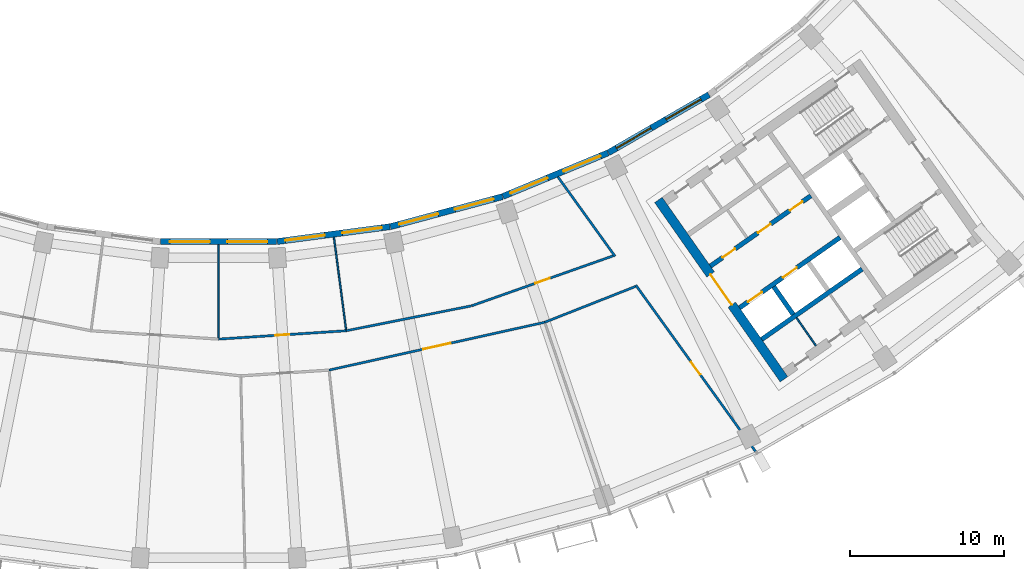
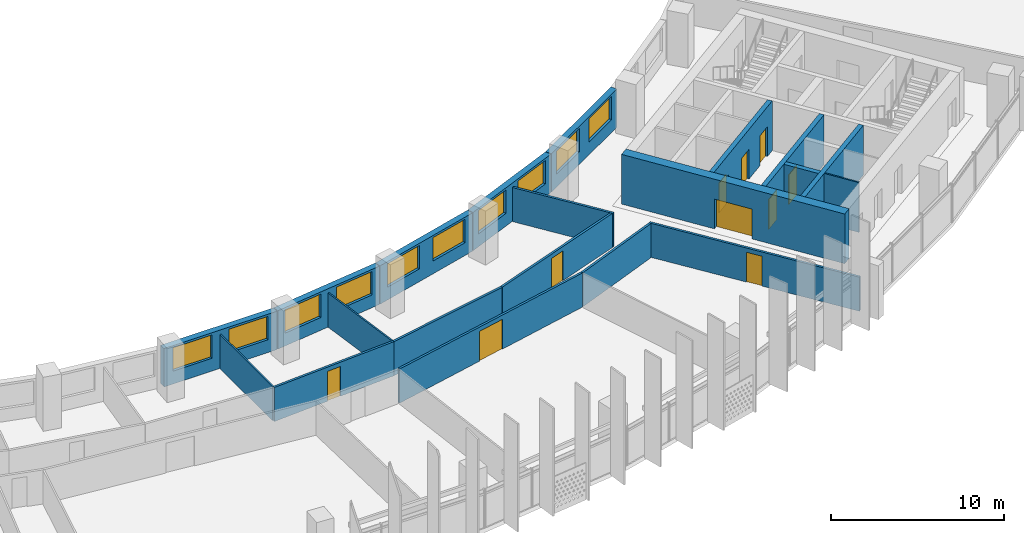
# One storey, part 6 of 26: 20 walls, 10 doors, 10 windows, 20 openings.
"""IFC4 building model written with IfcOpenShell, lengths in metres."""

from ifc_helpers import new_model, si_unit, direction, frame, frame_2d, origin, place, context, subcontext, project, spatial, rectangle, extrude, material, layer, layer_set, type_object, element, fill, save


model = new_model("IFC4")

# Units and contexts
model_context = context("Model", 3, precision=1e-05, world=origin(), true_north=direction((0.0, 1.0)))
body_context = subcontext(model_context, "Body", "Model", "MODEL_VIEW")
ifc_project = project(units=[si_unit("LENGTHUNIT", "METRE"), si_unit("AREAUNIT", "SQUARE_METRE"), si_unit("VOLUMEUNIT", "CUBIC_METRE"), si_unit("PLANEANGLEUNIT", "RADIAN"), si_unit("MASSUNIT", "GRAM", prefix="KILO")], contexts=[model_context])

# Site, building, storey
site_placement = place(None, origin())
site = spatial("IfcSite", under=ifc_project, at=site_placement, CompositionType="ELEMENT")
building_placement = place(site_placement, origin())
building = spatial("IfcBuilding", under=site, at=building_placement, Name="Qamariyya Broadcast Tower", CompositionType="ELEMENT")
storey_placement = place(building_placement, frame((0.0, 0.0, 156.89990234375)))
storey = spatial("IfcBuildingStorey", under=building, at=storey_placement, Name="L36", CompositionType="ELEMENT", Elevation=156.89990234375)

# Wall, opening, door
ifc_material_1 = material(Name="Concrete C60/75", Category="concrete")
ifc_layer_1 = layer(ifc_material_1, 0.60009765625)
ifc_layer_set_1 = layer_set([ifc_layer_1], Name="Core wall 600 mm Concrete C60/75")
wall_type_1 = type_object("IfcWallType", Name="Core wall 600 mm Concrete C60/75", PredefinedType="SHEAR", material=ifc_layer_set_1)
wall_1_placement = place(storey_placement, frame((36.66748046875, -66.005126953125, 0.0), z_axis=(0.0, 0.0, 1.0), x_axis=(-0.573568499524, 0.819157601658, 0.0)))
wall_1 = element("IfcWall", 1, at=wall_1_placement, inside=storey, type_object=wall_type_1, Name="k-E-L36-WA", PredefinedType="SHEAR", context=body_context, shape_type="SweptSolid", body=[
    extrude(rectangle(XDim=14.19970703125, YDim=0.60009765625, at=frame_2d((7.099853515625, 0.0))), origin(), (0.0, 0.0, 1.0), 3.5),
])
opening_1_placement = place(wall_1_placement, frame((5.89990234375, 0.0, 0.0)))
opening_1 = element("IfcOpeningElement", 2, at=opening_1_placement, cuts=wall_1, Name="Opening KD3-E1", PredefinedType="OPENING", context=body_context, shape_type="SweptSolid", body=[
    extrude(rectangle(XDim=2.39990234375, YDim=2.10009765625, at=frame_2d((1.199951171875, 1.050048828125))), frame((0.0, 0.31005859375, 0.0), z_axis=(0.0, -1.0, 0.0), x_axis=(1.0, 0.0, 0.0)), (0.0, 0.0, 1.0), 0.6201171875),
])
ifc_material_2 = material(Name="Steel fire-resisting door leaf", Category="steel")
door_type_1 = type_object("IfcDoorType", Name="Lift lobby door KD3", OperationType="DOUBLE_DOOR_SINGLE_SWING", PredefinedType="DOOR", material=ifc_material_2)
door_1_placement = place(opening_1_placement, origin())
door_1 = element("IfcDoor", 3, at=door_1_placement, inside=storey, type_object=door_type_1, Name="k-E-L36-WA-D1", OperationType="DOUBLE_DOOR_SINGLE_SWING", OverallHeight=2.10009765625, OverallWidth=2.39990234375, PredefinedType="DOOR", context=body_context, shape_type="SweptSolid", body=[
    extrude(rectangle(XDim=2.39990234375, YDim=2.10009765625, at=frame_2d((1.199951171875, 1.050048828125))), frame((0.0, 0.02490234375, 0.0), z_axis=(0.0, -1.0, 0.0), x_axis=(1.0, 0.0, 0.0)), (0.0, 0.0, 1.0), 0.050048828125),
])
fill(opening_1, door_1)

ifc_material_3 = material(Name="Gypsum board partition")
ifc_layer_2 = layer(ifc_material_3, 0.14990234375)
ifc_layer_set_2 = layer_set([ifc_layer_2], Name="Corridor partition 150 EI 60")
wall_type_2 = type_object("IfcWallType", Name="Corridor partition 150 EI 60", PredefinedType="PARTITIONING", material=ifc_layer_set_2)
wall_2_placement = place(storey_placement, frame((0.0, -63.39990234375, 0.0), z_axis=(0.0, 0.0, 1.0), x_axis=(0.997860193426, 0.065383747038, 0.0)))
wall_2 = element("IfcWall", 4, at=wall_2_placement, inside=storey, type_object=wall_type_2, Name="Partition L36-014", PredefinedType="PARTITIONING", context=body_context, shape_type="SweptSolid", body=[
    extrude(rectangle(XDim=8.293212890625, YDim=0.14990234375, at=frame_2d((4.146484375, 0.0))), origin(), (0.0, 0.0, 1.0), 2.400146484375),
])
opening_2_placement = place(wall_2_placement, frame((3.696533203125, 0.0, 0.0)))
opening_2 = element("IfcOpeningElement", 5, at=opening_2_placement, cuts=wall_2, Name="Opening L36-D10", PredefinedType="OPENING", context=body_context, shape_type="SweptSolid", body=[
    extrude(rectangle(XDim=0.89990234375, YDim=2.10009765625, at=frame_2d((0.449951171875, 1.050048828125))), frame((0.0, 0.0849609375, 0.0), z_axis=(0.0, -1.0, 0.0), x_axis=(1.0, 0.0, 0.0)), (0.0, 0.0, 1.0), 0.169921875),
])
ifc_material_4 = material(Name="Timber fire door leaf", Category="wood")
door_type_2 = type_object("IfcDoorType", Name="Fire door 900 x 2100 FD60", OperationType="NOTDEFINED", PredefinedType="DOOR", material=ifc_material_4)
door_2_placement = place(opening_2_placement, origin())
door_2 = element("IfcDoor", 6, at=door_2_placement, inside=storey, type_object=door_type_2, Name="Door L36-D10", OperationType="SINGLE_SWING_RIGHT", OverallHeight=2.10009765625, OverallWidth=0.89990234375, PredefinedType="DOOR", context=body_context, shape_type="SweptSolid", body=[
    extrude(rectangle(XDim=0.89990234375, YDim=2.10009765625, at=frame_2d((0.449951171875, 1.050048828125))), frame((0.0, 0.02490234375, 0.0), z_axis=(0.0, -1.0, 0.0), x_axis=(1.0, 0.0, 0.0)), (0.0, 0.0, 1.0), 0.050048828125),
])
fill(opening_2, door_2)

wall_3_placement = place(storey_placement, frame((21.150634765625, -62.30810546875, 0.0), z_axis=(0.0, 0.0, 1.0), x_axis=(-0.976299184302, -0.216425282099, 0.0)))
wall_3 = element("IfcWall", 7, at=wall_3_placement, inside=storey, type_object=wall_type_2, Name="Partition L36-018", PredefinedType="PARTITIONING", context=body_context, shape_type="SweptSolid", body=[
    extrude(rectangle(XDim=14.32861328125, YDim=0.14990234375, at=frame_2d((7.164306640625, 0.0))), origin(), (0.0, 0.0, 1.0), 2.400146484375),
])
opening_3_placement = place(wall_3_placement, frame((6.264404296875, 0.0, 0.0)))
opening_3 = element("IfcOpeningElement", 8, at=opening_3_placement, cuts=wall_3, Name="Opening L36-D05", PredefinedType="OPENING", context=body_context, shape_type="SweptSolid", body=[
    extrude(rectangle(XDim=1.800048828125, YDim=2.10009765625, at=frame_2d((0.89990234375, 1.050048828125))), frame((0.0, 0.0849609375, 0.0), z_axis=(0.0, -1.0, 0.0), x_axis=(1.0, 0.0, 0.0)), (0.0, 0.0, 1.0), 0.169921875),
])
door_type_3 = type_object("IfcDoorType", Name="Double fire door 1800 x 2100 FD60", OperationType="NOTDEFINED", PredefinedType="DOOR", material=ifc_material_4)
door_3_placement = place(opening_3_placement, origin())
door_3 = element("IfcDoor", 9, at=door_3_placement, inside=storey, type_object=door_type_3, Name="Door L36-D05", OperationType="DOUBLE_DOOR_SINGLE_SWING", OverallHeight=2.10009765625, OverallWidth=1.800048828125, PredefinedType="DOOR", context=body_context, shape_type="SweptSolid", body=[
    extrude(rectangle(XDim=1.800048828125, YDim=2.10009765625, at=frame_2d((0.89990234375, 1.050048828125))), frame((0.0, 0.02490234375, 0.0), z_axis=(0.0, -1.0, 0.0), x_axis=(1.0, 0.0, 0.0)), (0.0, 0.0, 1.0), 0.050048828125),
])
fill(opening_3, door_3)

# Wall
wall_4_placement = place(storey_placement, frame((8.275390625, -62.857666015625, 0.0), z_axis=(0.0, 0.0, 1.0), x_axis=(0.980780777209, 0.195112959735, 0.0)))
element("IfcWall", 10, at=wall_4_placement, inside=storey, type_object=wall_type_2, Name="Partition L36-020", PredefinedType="PARTITIONING", context=body_context, shape_type="SweptSolid", body=[
    extrude(rectangle(XDim=8.28466796875, YDim=0.14990234375, at=frame_2d((4.142333984375, 0.0))), origin(), (0.0, 0.0, 1.0), 2.400146484375),
])

# Wall, opening, door
wall_5_placement = place(storey_placement, frame((16.4169921875, -61.23681640625, 0.0), z_axis=(0.0, 0.0, 1.0), x_axis=(0.942982926679, 0.332841103219, 0.0)))
wall_5 = element("IfcWall", 11, at=wall_5_placement, inside=storey, type_object=wall_type_2, Name="Partition L36-022", PredefinedType="PARTITIONING", context=body_context, shape_type="SweptSolid", body=[
    extrude(rectangle(XDim=9.736572265625, YDim=0.14990234375, at=frame_2d((4.8681640625, 0.0))), origin(), (0.0, 0.0, 1.0), 2.400146484375),
])
opening_4_placement = place(wall_5_placement, frame((4.368408203125, 0.0, 0.0)))
opening_4 = element("IfcOpeningElement", 12, at=opening_4_placement, cuts=wall_5, Name="Opening L36-D11", PredefinedType="OPENING", context=body_context, shape_type="SweptSolid", body=[
    extrude(rectangle(XDim=1.0, YDim=2.10009765625, at=frame_2d((0.5, 1.050048828125))), frame((0.0, 0.0849609375, 0.0), z_axis=(0.0, -1.0, 0.0), x_axis=(1.0, 0.0, 0.0)), (0.0, 0.0, 1.0), 0.169921875),
])
door_type_4 = type_object("IfcDoorType", Name="Fire door 1000 x 2100 FD60", OperationType="NOTDEFINED", PredefinedType="DOOR", material=ifc_material_4)
door_4_placement = place(opening_4_placement, origin())
door_4 = element("IfcDoor", 13, at=door_4_placement, inside=storey, type_object=door_type_4, Name="Door L36-D11", OperationType="SINGLE_SWING_RIGHT", OverallHeight=2.10009765625, OverallWidth=1.0, PredefinedType="DOOR", context=body_context, shape_type="SweptSolid", body=[
    extrude(rectangle(XDim=1.0, YDim=2.10009765625, at=frame_2d((0.5, 1.050048828125))), frame((0.0, 0.02490234375, 0.0), z_axis=(0.0, -1.0, 0.0), x_axis=(1.0, 0.0, 0.0)), (0.0, 0.0, 1.0), 0.050048828125),
])
fill(opening_4, door_4)

# Walls
wall_6_placement = place(storey_placement, frame((21.150634765625, -62.30810546875, 0.0), z_axis=(0.0, 0.0, 1.0), x_axis=(0.930189926157, 0.367078603675, 0.0)))
element("IfcWall", 14, at=wall_6_placement, inside=storey, type_object=wall_type_2, Name="Partition L36-023", PredefinedType="PARTITIONING", context=body_context, shape_type="SweptSolid", body=[
    extrude(rectangle(XDim=6.32177734375, YDim=0.14990234375, at=frame_2d((3.160888671875, 0.0))), origin(), (0.0, 0.0, 1.0), 2.400146484375),
])
wall_7_placement = place(storey_placement, frame((22.0, -52.873046875, 0.0), z_axis=(0.0, 0.0, 1.0), x_axis=(0.58417014289, -0.811631224236, 0.0)))
element("IfcWall", 15, at=wall_7_placement, inside=storey, type_object=wall_type_2, Name="Partition L36-024", PredefinedType="PARTITIONING", context=body_context, shape_type="SweptSolid", body=[
    extrude(rectangle(XDim=6.356201171875, YDim=0.14990234375, at=frame_2d((3.17822265625, 0.0))), origin(), (0.0, 0.0, 1.0), 2.400146484375),
])

# Wall, opening, door
wall_8_placement = place(storey_placement, frame((34.823974609375, -70.690673828125, 0.0), z_axis=(0.0, 0.0, 1.0), x_axis=(-0.584166374063, 0.81163393683, 0.0)))
wall_8 = element("IfcWall", 16, at=wall_8_placement, inside=storey, type_object=wall_type_2, Name="Partition L36-026", PredefinedType="PARTITIONING", context=body_context, shape_type="SweptSolid", body=[
    extrude(rectangle(XDim=13.296142578125, YDim=0.14990234375, at=frame_2d((6.64794921875, 0.0))), origin(), (0.0, 0.0, 1.0), 2.400146484375),
])
opening_5_placement = place(wall_8_placement, frame((6.14794921875, 0.0, 0.0)))
opening_5 = element("IfcOpeningElement", 17, at=opening_5_placement, cuts=wall_8, Name="Opening L36-D06", PredefinedType="OPENING", context=body_context, shape_type="SweptSolid", body=[
    extrude(rectangle(XDim=1.0, YDim=2.10009765625, at=frame_2d((0.5, 1.050048828125))), frame((0.0, 0.0849609375, 0.0), z_axis=(0.0, -1.0, 0.0), x_axis=(1.0, 0.0, 0.0)), (0.0, 0.0, 1.0), 0.169921875),
])
door_5_placement = place(opening_5_placement, origin())
door_5 = element("IfcDoor", 18, at=door_5_placement, inside=storey, type_object=door_type_4, Name="Door L36-D06", OperationType="SINGLE_SWING_RIGHT", OverallHeight=2.10009765625, OverallWidth=1.0, PredefinedType="DOOR", context=body_context, shape_type="SweptSolid", body=[
    extrude(rectangle(XDim=1.0, YDim=2.10009765625, at=frame_2d((0.5, 1.050048828125))), frame((0.0, 0.02490234375, 0.0), z_axis=(0.0, -1.0, 0.0), x_axis=(1.0, 0.0, 0.0)), (0.0, 0.0, 1.0), 0.050048828125),
])
fill(opening_5, door_5)

# Wall, openings, doors
ifc_layer_3 = layer(ifc_material_1, 0.300048828125)
ifc_layer_set_3 = layer_set([ifc_layer_3], Name="Lift shaft wall 300 mm Concrete C60/75")
wall_type_3 = type_object("IfcWallType", Name="Lift shaft wall 300 mm Concrete C60/75", PredefinedType="SOLIDWALL", material=ifc_layer_set_3)
wall_9_placement = place(storey_placement, frame((31.89453125, -58.66552734375, 0.0), z_axis=(0.0, 0.0, 1.0), x_axis=(0.819166993208, 0.573555086491, 0.0)))
wall_9 = element("IfcWall", 19, at=wall_9_placement, inside=storey, type_object=wall_type_3, Name="k-E-L36-NF0", PredefinedType="SOLIDWALL", context=body_context, shape_type="SweptSolid", body=[
    extrude(rectangle(XDim=7.9501953125, YDim=0.300048828125, at=frame_2d((3.97509765625, 0.0))), origin(), (0.0, 0.0, 1.0), 3.5),
])
opening_6_placement = place(wall_9_placement, frame((0.96240234375, 0.0, 0.0)))
opening_6 = element("IfcOpeningElement", 20, at=opening_6_placement, cuts=wall_9, Name="Opening KD4-E1", PredefinedType="OPENING", context=body_context, shape_type="SweptSolid", body=[
    extrude(rectangle(XDim=1.0, YDim=2.10009765625, at=frame_2d((0.5, 1.050048828125))), frame((0.0, 0.159912109375, 0.0), z_axis=(0.0, -1.0, 0.0), x_axis=(1.0, 0.0, 0.0)), (0.0, 0.0, 1.0), 0.320068359375),
])
opening_7_placement = place(wall_9_placement, frame((3.77490234375, 0.0, 0.0)))
opening_7 = element("IfcOpeningElement", 21, at=opening_7_placement, cuts=wall_9, Name="Opening KD6-E1", PredefinedType="OPENING", context=body_context, shape_type="SweptSolid", body=[
    extrude(rectangle(XDim=1.0, YDim=2.10009765625, at=frame_2d((0.5, 1.050048828125))), frame((0.0, 0.159912109375, 0.0), z_axis=(0.0, -1.0, 0.0), x_axis=(1.0, 0.0, 0.0)), (0.0, 0.0, 1.0), 0.320068359375),
])
opening_8_placement = place(wall_9_placement, frame((6.28759765625, 0.0, 0.0)))
opening_8 = element("IfcOpeningElement", 22, at=opening_8_placement, cuts=wall_9, Name="Opening KD6-E2", PredefinedType="OPENING", context=body_context, shape_type="SweptSolid", body=[
    extrude(rectangle(XDim=1.0, YDim=2.10009765625, at=frame_2d((0.5, 1.050048828125))), frame((0.0, 0.159912109375, 0.0), z_axis=(0.0, -1.0, 0.0), x_axis=(1.0, 0.0, 0.0)), (0.0, 0.0, 1.0), 0.320068359375),
])
door_type_5 = type_object("IfcDoorType", Name="Core room door KD6", OperationType="SINGLE_SWING_LEFT", PredefinedType="DOOR", material=ifc_material_2)
door_6_placement = place(opening_7_placement, origin())
door_6 = element("IfcDoor", 23, at=door_6_placement, inside=storey, type_object=door_type_5, Name="k-E-L36-NF0-D3", OperationType="SINGLE_SWING_LEFT", OverallHeight=2.10009765625, OverallWidth=1.0, PredefinedType="DOOR", context=body_context, shape_type="SweptSolid", body=[
    extrude(rectangle(XDim=1.0, YDim=2.10009765625, at=frame_2d((0.5, 1.050048828125))), frame((0.0, 0.02490234375, 0.0), z_axis=(0.0, -1.0, 0.0), x_axis=(1.0, 0.0, 0.0)), (0.0, 0.0, 1.0), 0.050048828125),
])
fill(opening_7, door_6)
door_7_placement = place(opening_8_placement, origin())
door_7 = element("IfcDoor", 24, at=door_7_placement, inside=storey, type_object=door_type_5, Name="k-E-L36-NF0-D4", OperationType="SINGLE_SWING_RIGHT", OverallHeight=2.10009765625, OverallWidth=1.0, PredefinedType="DOOR", context=body_context, shape_type="SweptSolid", body=[
    extrude(rectangle(XDim=1.0, YDim=2.10009765625, at=frame_2d((0.5, 1.050048828125))), frame((0.0, 0.02490234375, 0.0), z_axis=(0.0, -1.0, 0.0), x_axis=(1.0, 0.0, 0.0)), (0.0, 0.0, 1.0), 0.050048828125),
])
fill(opening_8, door_7)
door_type_6 = type_object("IfcDoorType", Name="Riser and plant door KD4", OperationType="SINGLE_SWING_LEFT", PredefinedType="DOOR", material=ifc_material_2)
door_8_placement = place(opening_6_placement, origin())
door_8 = element("IfcDoor", 25, at=door_8_placement, inside=storey, type_object=door_type_6, Name="k-E-L36-NF0-D2", OperationType="SINGLE_SWING_RIGHT", OverallHeight=2.10009765625, OverallWidth=1.0, PredefinedType="DOOR", context=body_context, shape_type="SweptSolid", body=[
    extrude(rectangle(XDim=1.0, YDim=2.10009765625, at=frame_2d((0.5, 1.050048828125))), frame((0.0, 0.02490234375, 0.0), z_axis=(0.0, -1.0, 0.0), x_axis=(1.0, 0.0, 0.0)), (0.0, 0.0, 1.0), 0.050048828125),
])
fill(opening_6, door_8)

wall_10_placement = place(storey_placement, frame((33.787353515625, -61.368896484375, 0.0), z_axis=(0.0, 0.0, 1.0), x_axis=(0.819152564888, 0.573575692858, 0.0)))
wall_10 = element("IfcWall", 26, at=wall_10_placement, inside=storey, type_object=wall_type_3, Name="k-E-L36-SF0", PredefinedType="SOLIDWALL", context=body_context, shape_type="SweptSolid", body=[
    extrude(rectangle(XDim=7.9501953125, YDim=0.300048828125, at=frame_2d((3.97509765625, 0.0))), origin(), (0.0, 0.0, 1.0), 3.5),
])
opening_9_placement = place(wall_10_placement, frame((0.675048828125, 0.0, 0.0)))
opening_9 = element("IfcOpeningElement", 27, at=opening_9_placement, cuts=wall_10, Name="Opening LD", PredefinedType="OPENING", context=body_context, shape_type="SweptSolid", body=[
    extrude(rectangle(XDim=1.10009765625, YDim=2.10009765625, at=frame_2d((0.550048828125, 1.050048828125))), frame((0.0, 0.159912109375, 0.0), z_axis=(0.0, -1.0, 0.0), x_axis=(1.0, 0.0, 0.0)), (0.0, 0.0, 1.0), 0.320068359375),
])
opening_10_placement = place(wall_10_placement, frame((3.425048828125, 0.0, 0.0)))
opening_10 = element("IfcOpeningElement", 28, at=opening_10_placement, cuts=wall_10, Name="Opening LD", PredefinedType="OPENING", context=body_context, shape_type="SweptSolid", body=[
    extrude(rectangle(XDim=1.10009765625, YDim=2.10009765625, at=frame_2d((0.550048828125, 1.050048828125))), frame((0.0, 0.159912109375, 0.0), z_axis=(0.0, -1.0, 0.0), x_axis=(1.0, 0.0, 0.0)), (0.0, 0.0, 1.0), 0.320068359375),
])
door_type_7 = type_object("IfcDoorType", Name="Lift landing door LD", OperationType="DOUBLE_DOOR_SLIDING", PredefinedType="DOOR", material=ifc_material_2)
door_9_placement = place(opening_9_placement, origin())
door_9 = element("IfcDoor", 29, at=door_9_placement, inside=storey, type_object=door_type_7, Name="k-E-L36-SF0-D5", OperationType="DOUBLE_DOOR_SLIDING", OverallHeight=2.10009765625, OverallWidth=1.10009765625, PredefinedType="DOOR", context=body_context, shape_type="SweptSolid", body=[
    extrude(rectangle(XDim=1.10009765625, YDim=2.10009765625, at=frame_2d((0.550048828125, 1.050048828125))), frame((0.0, 0.02490234375, 0.0), z_axis=(0.0, -1.0, 0.0), x_axis=(1.0, 0.0, 0.0)), (0.0, 0.0, 1.0), 0.050048828125),
])
fill(opening_9, door_9)
door_10_placement = place(opening_10_placement, origin())
door_10 = element("IfcDoor", 30, at=door_10_placement, inside=storey, type_object=door_type_7, Name="k-E-L36-SF0-D6", OperationType="DOUBLE_DOOR_SLIDING", OverallHeight=2.10009765625, OverallWidth=1.10009765625, PredefinedType="DOOR", context=body_context, shape_type="SweptSolid", body=[
    extrude(rectangle(XDim=1.10009765625, YDim=2.10009765625, at=frame_2d((0.550048828125, 1.050048828125))), frame((0.0, 0.02490234375, 0.0), z_axis=(0.0, -1.0, 0.0), x_axis=(1.0, 0.0, 0.0)), (0.0, 0.0, 1.0), 0.050048828125),
])
fill(opening_10, door_10)

# Walls
wall_11_placement = place(storey_placement, frame((35.22119140625, -63.41650390625, 0.0), z_axis=(0.0, 0.0, 1.0), x_axis=(0.819166993208, 0.573555086491, 0.0)))
element("IfcWall", 31, at=wall_11_placement, inside=storey, type_object=wall_type_3, Name="k-E-L36-SB0", PredefinedType="SOLIDWALL", context=body_context, shape_type="SweptSolid", body=[
    extrude(rectangle(XDim=7.9501953125, YDim=0.300048828125, at=frame_2d((3.97509765625, 0.0))), origin(), (0.0, 0.0, 1.0), 3.5),
])
wall_12_placement = place(storey_placement, frame((36.003173828125, -60.000244140625, 0.0), z_axis=(0.0, 0.0, 1.0), x_axis=(0.573581496053, -0.819148501424, 0.0)))
element("IfcWall", 32, at=wall_12_placement, inside=storey, type_object=wall_type_3, Name="k-E-L36-SD0", PredefinedType="SOLIDWALL", context=body_context, shape_type="SweptSolid", body=[
    extrude(rectangle(XDim=2.2001953125, YDim=0.300048828125, at=frame_2d((1.10009765625, 0.0))), origin(), (0.0, 0.0, 1.0), 3.5),
])
ifc_layer_4 = layer(ifc_material_3, 0.10009765625)
ifc_layer_set_4 = layer_set([ifc_layer_4], Name="Partition 100")
wall_type_4 = type_object("IfcWallType", Name="Partition 100", PredefinedType="PARTITIONING", material=ifc_layer_set_4)
wall_13_placement = place(storey_placement, frame((0.0, -57.278076171875, 0.0), z_axis=(0.0, 0.0, 1.0), x_axis=(0.0, -1.0, 0.0)))
element("IfcWall", 33, at=wall_13_placement, inside=storey, type_object=wall_type_4, Name="Partition L36-015", PredefinedType="PARTITIONING", context=body_context, shape_type="SweptSolid", body=[
    extrude(rectangle(XDim=6.046875, YDim=0.10009765625, at=frame_2d((3.0234375, 0.0))), origin(), (0.0, 0.0, 1.0), 2.400146484375),
])
wall_14_placement = place(storey_placement, frame((7.476318359375, -56.787841796875, 0.0), z_axis=(0.0, 0.0, 1.0), x_axis=(0.130526573864, -0.991444811129, 0.0)))
element("IfcWall", 34, at=wall_14_placement, inside=storey, type_object=wall_type_4, Name="Partition L36-019", PredefinedType="PARTITIONING", context=body_context, shape_type="SweptSolid", body=[
    extrude(rectangle(XDim=6.047119140625, YDim=0.10009765625, at=frame_2d((3.0234375, 0.0))), origin(), (0.0, 0.0, 1.0), 2.400146484375),
])
ifc_material_5 = material(Name="Fire-rated gypsum shaft liner on steel studs", Category="steel")
ifc_layer_5 = layer(ifc_material_5, 0.10009765625)
ifc_layer_set_5 = layer_set([ifc_layer_5], Name="Riser wall 100 mm")
wall_type_5 = type_object("IfcWallType", Name="Riser wall 100 mm", PredefinedType="PLUMBINGWALL", material=ifc_layer_set_5)
wall_15_placement = place(storey_placement, frame((37.47802734375, -62.01953125, 0.0), z_axis=(0.0, 0.0, 1.0), x_axis=(0.573581496053, -0.819148501424, 0.0)))
element("IfcWall", 35, at=wall_15_placement, inside=storey, type_object=wall_type_5, Name="k-E-L36-SP265", PredefinedType="PLUMBINGWALL", context=body_context, shape_type="SweptSolid", body=[
    extrude(rectangle(XDim=2.2001953125, YDim=0.10009765625, at=frame_2d((1.10009765625, 0.0))), origin(), (0.0, 0.0, 1.0), 3.5),
])

# Wall, openings, windows
ifc_material_6 = material(Name="Terracotta", Category="masonry")
ifc_layer_6 = layer(ifc_material_6, 0.39990234375)
ifc_layer_set_6 = layer_set([ifc_layer_6], Name="Terracotta clad wall 400")
wall_type_6 = type_object("IfcWallType", Name="Terracotta clad wall 400", PredefinedType="SOLIDWALL", material=ifc_layer_set_6)
wall_16_placement = place(storey_placement, frame((25.252197265625, -51.32080078125, 0.0), z_axis=(0.0, 0.0, 1.0), x_axis=(-0.923867659443, -0.382712095229, 0.0)))
wall_16 = element("IfcWall", 36, at=wall_16_placement, inside=storey, type_object=wall_type_6, Name="e-wl-L36-in100", PredefinedType="SOLIDWALL", context=body_context, shape_type="SweptSolid", body=[
    extrude(rectangle(XDim=7.380859375, YDim=0.39990234375, at=frame_2d((3.6904296875, 0.0))), origin(), (0.0, 0.0, 1.0), 2.7001953125),
])
opening_11_placement = place(wall_16_placement, frame((4.25439453125, 0.0, 0.89990234375)))
opening_11 = element("IfcOpeningElement", 37, at=opening_11_placement, cuts=wall_16, Name="Opening W1", PredefinedType="OPENING", context=body_context, shape_type="SweptSolid", body=[
    extrude(rectangle(XDim=2.60009765625, YDim=1.64990234375, at=frame_2d((1.300048828125, 0.824951171875))), frame((0.0, 0.2099609375, 0.0), z_axis=(0.0, -1.0, 0.0), x_axis=(1.0, 0.0, 0.0)), (0.0, 0.0, 1.0), 0.419921875),
])
opening_12_placement = place(wall_16_placement, frame((0.5263671875, 0.0, 0.89990234375)))
opening_12 = element("IfcOpeningElement", 38, at=opening_12_placement, cuts=wall_16, Name="Opening W1", PredefinedType="OPENING", context=body_context, shape_type="SweptSolid", body=[
    extrude(rectangle(XDim=2.60009765625, YDim=1.64990234375, at=frame_2d((1.300048828125, 0.824951171875))), frame((0.0, 0.2099609375, 0.0), z_axis=(0.0, -1.0, 0.0), x_axis=(1.0, 0.0, 0.0)), (0.0, 0.0, 1.0), 0.419921875),
])
ifc_material_7 = material(Name="Clear low-e double glazed unit in aluminium frame", Category="aluminium")
window_type = type_object("IfcWindowType", Name="Ribbon window 2600 x 1650", PartitioningType="SINGLE_PANEL", PredefinedType="WINDOW", material=ifc_material_7)
window_1_placement = place(opening_11_placement, origin())
window_1 = element("IfcWindow", 39, at=window_1_placement, inside=storey, type_object=window_type, Name="e-w-L36-in10-0", OverallHeight=1.64990234375, OverallWidth=2.60009765625, PartitioningType="SINGLE_PANEL", PredefinedType="WINDOW", context=body_context, shape_type="SweptSolid", body=[
    extrude(rectangle(XDim=2.60009765625, YDim=1.64990234375, at=frame_2d((1.300048828125, 0.824951171875))), frame((0.0, 0.030029296875, 0.0), z_axis=(0.0, -1.0, 0.0), x_axis=(1.0, 0.0, 0.0)), (0.0, 0.0, 1.0), 0.06005859375),
])
fill(opening_11, window_1)
window_2_placement = place(opening_12_placement, origin())
window_2 = element("IfcWindow", 40, at=window_2_placement, inside=storey, type_object=window_type, Name="e-w-L36-in10-1", OverallHeight=1.64990234375, OverallWidth=2.60009765625, PartitioningType="SINGLE_PANEL", PredefinedType="WINDOW", context=body_context, shape_type="SweptSolid", body=[
    extrude(rectangle(XDim=2.60009765625, YDim=1.64990234375, at=frame_2d((1.300048828125, 0.824951171875))), frame((0.0, 0.030029296875, 0.0), z_axis=(0.0, -1.0, 0.0), x_axis=(1.0, 0.0, 0.0)), (0.0, 0.0, 1.0), 0.06005859375),
])
fill(opening_12, window_2)

wall_17_placement = place(storey_placement, frame((31.800537109375, -47.5478515625, 0.0), z_axis=(0.0, 0.0, 1.0), x_axis=(-0.866028517328, -0.499994607145, 0.0)))
wall_17 = element("IfcWall", 41, at=wall_17_placement, inside=storey, type_object=wall_type_6, Name="e-wl-L36-in110", PredefinedType="SOLIDWALL", context=body_context, shape_type="SweptSolid", body=[
    extrude(rectangle(XDim=7.5322265625, YDim=0.39990234375, at=frame_2d((3.76611328125, 0.0))), origin(), (0.0, 0.0, 1.0), 2.7001953125),
])
opening_13_placement = place(wall_17_placement, frame((4.330078125, 0.0, 0.89990234375)))
opening_13 = element("IfcOpeningElement", 42, at=opening_13_placement, cuts=wall_17, Name="Opening W1", PredefinedType="OPENING", context=body_context, shape_type="SweptSolid", body=[
    extrude(rectangle(XDim=2.60009765625, YDim=1.64990234375, at=frame_2d((1.300048828125, 0.824951171875))), frame((0.0, 0.2099609375, 0.0), z_axis=(0.0, -1.0, 0.0), x_axis=(1.0, 0.0, 0.0)), (0.0, 0.0, 1.0), 0.419921875),
])
opening_14_placement = place(wall_17_placement, frame((0.60205078125, 0.0, 0.89990234375)))
opening_14 = element("IfcOpeningElement", 43, at=opening_14_placement, cuts=wall_17, Name="Opening W1", PredefinedType="OPENING", context=body_context, shape_type="SweptSolid", body=[
    extrude(rectangle(XDim=2.60009765625, YDim=1.64990234375, at=frame_2d((1.300048828125, 0.824951171875))), frame((0.0, 0.2099609375, 0.0), z_axis=(0.0, -1.0, 0.0), x_axis=(1.0, 0.0, 0.0)), (0.0, 0.0, 1.0), 0.419921875),
])
window_3_placement = place(opening_13_placement, origin())
window_3 = element("IfcWindow", 44, at=window_3_placement, inside=storey, type_object=window_type, Name="e-w-L36-in11-0", OverallHeight=1.64990234375, OverallWidth=2.60009765625, PartitioningType="SINGLE_PANEL", PredefinedType="WINDOW", context=body_context, shape_type="SweptSolid", body=[
    extrude(rectangle(XDim=2.60009765625, YDim=1.64990234375, at=frame_2d((1.300048828125, 0.824951171875))), frame((0.0, 0.030029296875, 0.0), z_axis=(0.0, -1.0, 0.0), x_axis=(1.0, 0.0, 0.0)), (0.0, 0.0, 1.0), 0.06005859375),
])
fill(opening_13, window_3)
window_4_placement = place(opening_14_placement, origin())
window_4 = element("IfcWindow", 45, at=window_4_placement, inside=storey, type_object=window_type, Name="e-w-L36-in11-1", OverallHeight=1.64990234375, OverallWidth=2.60009765625, PartitioningType="SINGLE_PANEL", PredefinedType="WINDOW", context=body_context, shape_type="SweptSolid", body=[
    extrude(rectangle(XDim=2.60009765625, YDim=1.64990234375, at=frame_2d((1.300048828125, 0.824951171875))), frame((0.0, 0.030029296875, 0.0), z_axis=(0.0, -1.0, 0.0), x_axis=(1.0, 0.0, 0.0)), (0.0, 0.0, 1.0), 0.06005859375),
])
fill(opening_14, window_4)

wall_18_placement = place(storey_placement, frame((3.76611328125, -57.077880859375, 0.0), z_axis=(0.0, 0.0, 1.0), x_axis=(-1.0, 0.0, 0.0)))
wall_18 = element("IfcWall", 46, at=wall_18_placement, inside=storey, type_object=wall_type_6, Name="e-wl-L36-in70", PredefinedType="SOLIDWALL", context=body_context, shape_type="SweptSolid", body=[
    extrude(rectangle(XDim=7.5322265625, YDim=0.39990234375, at=frame_2d((3.76611328125, 0.0))), origin(), (0.0, 0.0, 1.0), 2.7001953125),
])
opening_15_placement = place(wall_18_placement, frame((4.330078125, 0.0, 0.89990234375)))
opening_15 = element("IfcOpeningElement", 47, at=opening_15_placement, cuts=wall_18, Name="Opening W1", PredefinedType="OPENING", context=body_context, shape_type="SweptSolid", body=[
    extrude(rectangle(XDim=2.60009765625, YDim=1.64990234375, at=frame_2d((1.300048828125, 0.824951171875))), frame((0.0, 0.2099609375, 0.0), z_axis=(0.0, -1.0, 0.0), x_axis=(1.0, 0.0, 0.0)), (0.0, 0.0, 1.0), 0.419921875),
])
opening_16_placement = place(wall_18_placement, frame((0.60205078125, 0.0, 0.89990234375)))
opening_16 = element("IfcOpeningElement", 48, at=opening_16_placement, cuts=wall_18, Name="Opening W1", PredefinedType="OPENING", context=body_context, shape_type="SweptSolid", body=[
    extrude(rectangle(XDim=2.60009765625, YDim=1.64990234375, at=frame_2d((1.300048828125, 0.824951171875))), frame((0.0, 0.2099609375, 0.0), z_axis=(0.0, -1.0, 0.0), x_axis=(1.0, 0.0, 0.0)), (0.0, 0.0, 1.0), 0.419921875),
])
window_5_placement = place(opening_15_placement, origin())
window_5 = element("IfcWindow", 49, at=window_5_placement, inside=storey, type_object=window_type, Name="e-w-L36-in07-0", OverallHeight=1.64990234375, OverallWidth=2.60009765625, PartitioningType="SINGLE_PANEL", PredefinedType="WINDOW", context=body_context, shape_type="SweptSolid", body=[
    extrude(rectangle(XDim=2.60009765625, YDim=1.64990234375, at=frame_2d((1.300048828125, 0.824951171875))), frame((0.0, 0.030029296875, 0.0), z_axis=(0.0, -1.0, 0.0), x_axis=(1.0, 0.0, 0.0)), (0.0, 0.0, 1.0), 0.06005859375),
])
fill(opening_15, window_5)
window_6_placement = place(opening_16_placement, origin())
window_6 = element("IfcWindow", 50, at=window_6_placement, inside=storey, type_object=window_type, Name="e-w-L36-in07-1", OverallHeight=1.64990234375, OverallWidth=2.60009765625, PartitioningType="SINGLE_PANEL", PredefinedType="WINDOW", context=body_context, shape_type="SweptSolid", body=[
    extrude(rectangle(XDim=2.60009765625, YDim=1.64990234375, at=frame_2d((1.300048828125, 0.824951171875))), frame((0.0, 0.030029296875, 0.0), z_axis=(0.0, -1.0, 0.0), x_axis=(1.0, 0.0, 0.0)), (0.0, 0.0, 1.0), 0.06005859375),
])
fill(opening_16, window_6)

wall_19_placement = place(storey_placement, frame((11.10888671875, -56.10791015625, 0.0), z_axis=(0.0, 0.0, 1.0), x_axis=(-0.99144438474, -0.130529812564, 0.0)))
wall_19 = element("IfcWall", 51, at=wall_19_placement, inside=storey, type_object=wall_type_6, Name="e-wl-L36-in80", PredefinedType="SOLIDWALL", context=body_context, shape_type="SweptSolid", body=[
    extrude(rectangle(XDim=7.380615234375, YDim=0.39990234375, at=frame_2d((3.6904296875, 0.0))), origin(), (0.0, 0.0, 1.0), 2.7001953125),
])
opening_17_placement = place(wall_19_placement, frame((4.25439453125, 0.0, 0.89990234375)))
opening_17 = element("IfcOpeningElement", 52, at=opening_17_placement, cuts=wall_19, Name="Opening W1", PredefinedType="OPENING", context=body_context, shape_type="SweptSolid", body=[
    extrude(rectangle(XDim=2.60009765625, YDim=1.64990234375, at=frame_2d((1.300048828125, 0.824951171875))), frame((0.0, 0.2099609375, 0.0), z_axis=(0.0, -1.0, 0.0), x_axis=(1.0, 0.0, 0.0)), (0.0, 0.0, 1.0), 0.419921875),
])
opening_18_placement = place(wall_19_placement, frame((0.5263671875, 0.0, 0.89990234375)))
opening_18 = element("IfcOpeningElement", 53, at=opening_18_placement, cuts=wall_19, Name="Opening W1", PredefinedType="OPENING", context=body_context, shape_type="SweptSolid", body=[
    extrude(rectangle(XDim=2.60009765625, YDim=1.64990234375, at=frame_2d((1.300048828125, 0.824951171875))), frame((0.0, 0.2099609375, 0.0), z_axis=(0.0, -1.0, 0.0), x_axis=(1.0, 0.0, 0.0)), (0.0, 0.0, 1.0), 0.419921875),
])
window_7_placement = place(opening_17_placement, origin())
window_7 = element("IfcWindow", 54, at=window_7_placement, inside=storey, type_object=window_type, Name="e-w-L36-in08-0", OverallHeight=1.64990234375, OverallWidth=2.60009765625, PartitioningType="SINGLE_PANEL", PredefinedType="WINDOW", context=body_context, shape_type="SweptSolid", body=[
    extrude(rectangle(XDim=2.60009765625, YDim=1.64990234375, at=frame_2d((1.300048828125, 0.824951171875))), frame((0.0, 0.030029296875, 0.0), z_axis=(0.0, -1.0, 0.0), x_axis=(1.0, 0.0, 0.0)), (0.0, 0.0, 1.0), 0.06005859375),
])
fill(opening_17, window_7)
window_8_placement = place(opening_18_placement, origin())
window_8 = element("IfcWindow", 55, at=window_8_placement, inside=storey, type_object=window_type, Name="e-w-L36-in08-1", OverallHeight=1.64990234375, OverallWidth=2.60009765625, PartitioningType="SINGLE_PANEL", PredefinedType="WINDOW", context=body_context, shape_type="SweptSolid", body=[
    extrude(rectangle(XDim=2.60009765625, YDim=1.64990234375, at=frame_2d((1.300048828125, 0.824951171875))), frame((0.0, 0.030029296875, 0.0), z_axis=(0.0, -1.0, 0.0), x_axis=(1.0, 0.0, 0.0)), (0.0, 0.0, 1.0), 0.06005859375),
])
fill(opening_18, window_8)

wall_20_placement = place(storey_placement, frame((18.41064453125, -54.158447265625, 0.0), z_axis=(0.0, 0.0, 1.0), x_axis=(-0.965927073219, -0.258814391452, 0.0)))
wall_20 = element("IfcWall", 56, at=wall_20_placement, inside=storey, type_object=wall_type_6, Name="e-wl-L36-in90", PredefinedType="SOLIDWALL", context=body_context, shape_type="SweptSolid", body=[
    extrude(rectangle(XDim=7.5322265625, YDim=0.39990234375, at=frame_2d((3.76611328125, 0.0))), origin(), (0.0, 0.0, 1.0), 2.7001953125),
])
opening_19_placement = place(wall_20_placement, frame((4.330078125, 0.0, 0.89990234375)))
opening_19 = element("IfcOpeningElement", 57, at=opening_19_placement, cuts=wall_20, Name="Opening W1", PredefinedType="OPENING", context=body_context, shape_type="SweptSolid", body=[
    extrude(rectangle(XDim=2.60009765625, YDim=1.64990234375, at=frame_2d((1.300048828125, 0.824951171875))), frame((0.0, 0.2099609375, 0.0), z_axis=(0.0, -1.0, 0.0), x_axis=(1.0, 0.0, 0.0)), (0.0, 0.0, 1.0), 0.419921875),
])
opening_20_placement = place(wall_20_placement, frame((0.60205078125, 0.0, 0.89990234375)))
opening_20 = element("IfcOpeningElement", 58, at=opening_20_placement, cuts=wall_20, Name="Opening W1", PredefinedType="OPENING", context=body_context, shape_type="SweptSolid", body=[
    extrude(rectangle(XDim=2.60009765625, YDim=1.64990234375, at=frame_2d((1.300048828125, 0.824951171875))), frame((0.0, 0.2099609375, 0.0), z_axis=(0.0, -1.0, 0.0), x_axis=(1.0, 0.0, 0.0)), (0.0, 0.0, 1.0), 0.419921875),
])
window_9_placement = place(opening_19_placement, origin())
window_9 = element("IfcWindow", 59, at=window_9_placement, inside=storey, type_object=window_type, Name="e-w-L36-in09-0", OverallHeight=1.64990234375, OverallWidth=2.60009765625, PartitioningType="SINGLE_PANEL", PredefinedType="WINDOW", context=body_context, shape_type="SweptSolid", body=[
    extrude(rectangle(XDim=2.60009765625, YDim=1.64990234375, at=frame_2d((1.300048828125, 0.824951171875))), frame((0.0, 0.030029296875, 0.0), z_axis=(0.0, -1.0, 0.0), x_axis=(1.0, 0.0, 0.0)), (0.0, 0.0, 1.0), 0.06005859375),
])
fill(opening_19, window_9)
window_10_placement = place(opening_20_placement, origin())
window_10 = element("IfcWindow", 60, at=window_10_placement, inside=storey, type_object=window_type, Name="e-w-L36-in09-1", OverallHeight=1.64990234375, OverallWidth=2.60009765625, PartitioningType="SINGLE_PANEL", PredefinedType="WINDOW", context=body_context, shape_type="SweptSolid", body=[
    extrude(rectangle(XDim=2.60009765625, YDim=1.64990234375, at=frame_2d((1.300048828125, 0.824951171875))), frame((0.0, 0.030029296875, 0.0), z_axis=(0.0, -1.0, 0.0), x_axis=(1.0, 0.0, 0.0)), (0.0, 0.0, 1.0), 0.06005859375),
])
fill(opening_20, window_10)

save(model, "model.ifc")
